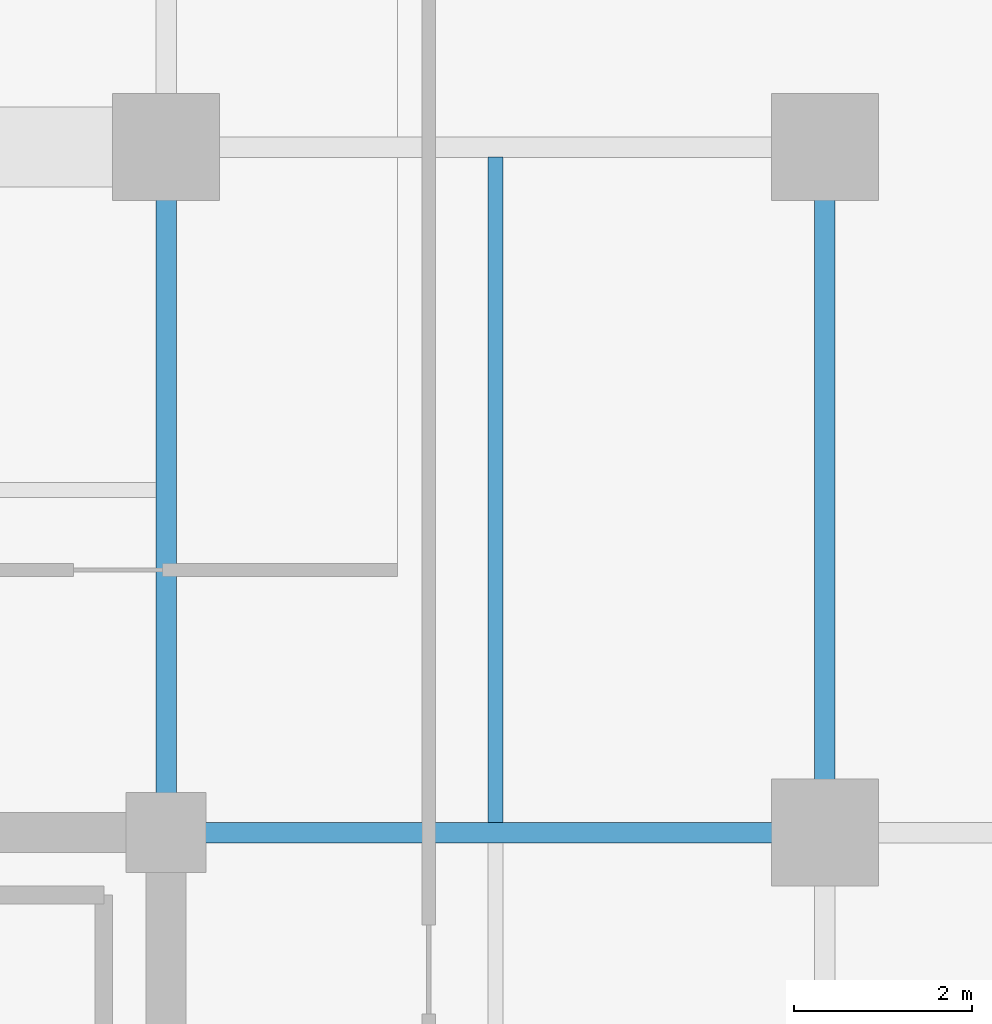
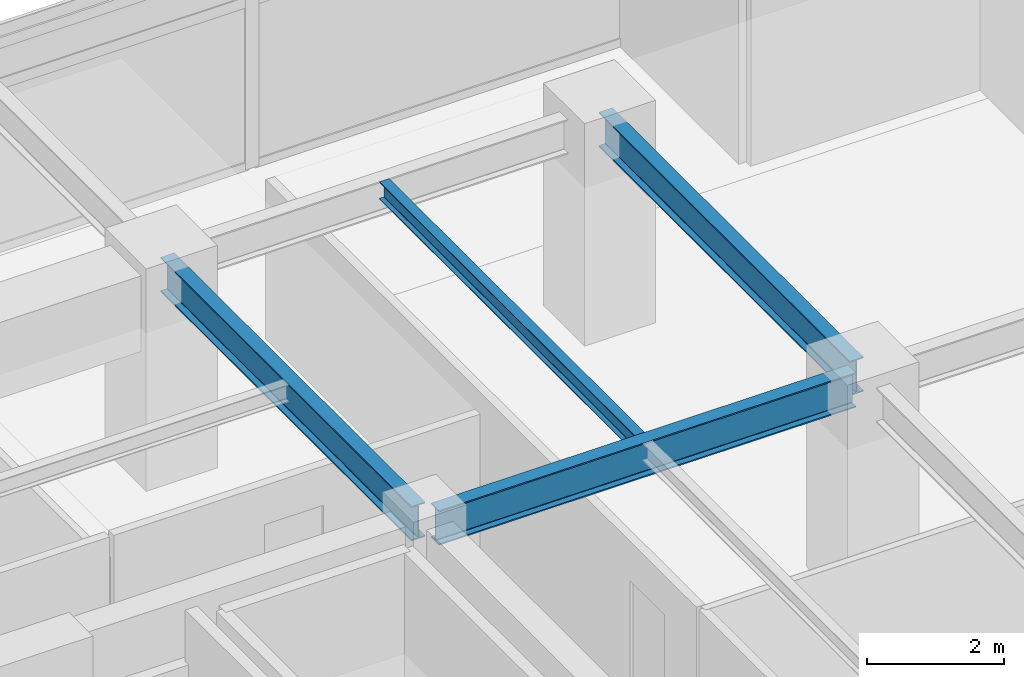
# One storey, part 12 of 23: 4 beams.
"""IFC4 building model written with IfcOpenShell, lengths in metres."""

from ifc_helpers import new_model, si_unit, direction, frame, origin, origin_2d, place, context, subcontext, project, spatial, i_section, extrude, material, material_profile, profile_set, type_object, element, save


model = new_model("IFC4")

# Units and contexts
model_context = context("Model", 3, precision=1e-05, world=origin(), true_north=direction((0.0, 1.0)))
body_context = subcontext(model_context, "Body", "Model", "MODEL_VIEW")
ifc_project = project(units=[si_unit("LENGTHUNIT", "METRE"), si_unit("AREAUNIT", "SQUARE_METRE"), si_unit("VOLUMEUNIT", "CUBIC_METRE"), si_unit("PLANEANGLEUNIT", "RADIAN"), si_unit("MASSUNIT", "GRAM", prefix="KILO")], contexts=[model_context])

# Site, building, storey
site_placement = place(None, origin())
site = spatial("IfcSite", under=ifc_project, at=site_placement, CompositionType="ELEMENT")
building_placement = place(site_placement, origin())
building = spatial("IfcBuilding", under=site, at=building_placement, Name="Kovane Verandah Tower", CompositionType="ELEMENT")
storey_placement = place(building_placement, frame((0.0, 0.0, 267.199951171875)))
storey = spatial("IfcBuildingStorey", under=building, at=storey_placement, Name="L62", CompositionType="ELEMENT", Elevation=267.199951171875)

# Beams
ifc_material = material(Name="Steel S355", Category="steel")
ifc_material_profile_1 = material_profile(ifc_material, i_section(OverallWidth=0.230224609375, OverallDepth=0.6171875, WebThickness=0.01318359375, FlangeThickness=0.022216796875, FilletRadius=0.0126953125, at=origin_2d()), Name="UB610x229x140")
ifc_profile_set_1 = profile_set([ifc_material_profile_1], Name="Steel S355")
beam_type_1 = type_object("IfcBeamType", Name="BM-UB610x140", PredefinedType="BEAM", material=ifc_profile_set_1)
beam_1_placement = place(storey_placement, frame((58.39990234375, 36.679931640625, 3.4765625), z_axis=(0.0, 1.0, 0.0), x_axis=(-1.0, 0.0, 0.0)))
element("IfcBeam", 1, at=beam_1_placement, inside=storey, type_object=beam_type_1, Name="L62 Primary Tower Girder G-RE3", PredefinedType="BEAM", context=body_context, shape_type="SweptSolid", body=[
    extrude(i_section(OverallWidth=0.230224609375, OverallDepth=0.6171875, WebThickness=0.01318359375, FlangeThickness=0.022216796875, FilletRadius=0.0126953125, at=origin_2d()), origin(), (0.0, 0.0, 1.0), 7.340087890625),
])
beam_2_placement = place(storey_placement, frame((51.179931640625, 36.5, 3.4765625), z_axis=(1.0, 0.0, 0.0), x_axis=(0.0, 1.0, 0.0)))
element("IfcBeam", 2, at=beam_2_placement, inside=storey, type_object=beam_type_1, Name="L62 Primary Tower Girder G-E2", PredefinedType="BEAM", context=body_context, shape_type="SweptSolid", body=[
    extrude(i_section(OverallWidth=0.230224609375, OverallDepth=0.6171875, WebThickness=0.01318359375, FlangeThickness=0.022216796875, FilletRadius=0.0126953125, at=origin_2d()), origin(), (0.0, 0.0, 1.0), 7.0400390625),
])
beam_3_placement = place(storey_placement, frame((51.0, 36.679931640625, 3.4765625), z_axis=(0.0, 1.0, 0.0), x_axis=(-1.0, 0.0, 0.0)))
element("IfcBeam", 3, at=beam_3_placement, inside=storey, type_object=beam_type_1, Name="L62 Primary Tower Girder G-N2", PredefinedType="BEAM", context=body_context, shape_type="SweptSolid", body=[
    extrude(i_section(OverallWidth=0.230224609375, OverallDepth=0.6171875, WebThickness=0.01318359375, FlangeThickness=0.022216796875, FilletRadius=0.0126953125, at=origin_2d()), origin(), (0.0, 0.0, 1.0), 7.340087890625),
])
ifc_material_profile_2 = material_profile(ifc_material, i_section(OverallWidth=0.1669921875, OverallDepth=0.310302734375, WebThickness=0.0078125, FlangeThickness=0.013671875, FilletRadius=0.0087890625, at=origin_2d()), Name="UB305x165x54")
ifc_profile_set_2 = profile_set([ifc_material_profile_2], Name="Steel S355")
beam_type_2 = type_object("IfcBeamType", Name="JST-UB305x54", PredefinedType="JOIST", material=ifc_profile_set_2)
beam_4_placement = place(storey_placement, frame((54.699951171875, 36.613037109375, 3.6298828125), z_axis=(0.0, 1.0, 0.0), x_axis=(-1.0, 0.0, 0.0)))
element("IfcBeam", 4, at=beam_4_placement, inside=storey, type_object=beam_type_2, Name="L62 Secondary Composite Joist J-NE1", PredefinedType="JOIST", context=body_context, shape_type="SweptSolid", body=[
    extrude(i_section(OverallWidth=0.1669921875, OverallDepth=0.310302734375, WebThickness=0.0078125, FlangeThickness=0.013671875, FilletRadius=0.0087890625, at=origin_2d()), origin(), (0.0, 0.0, 1.0), 7.473876953125),
])

save(model, "model.ifc")
